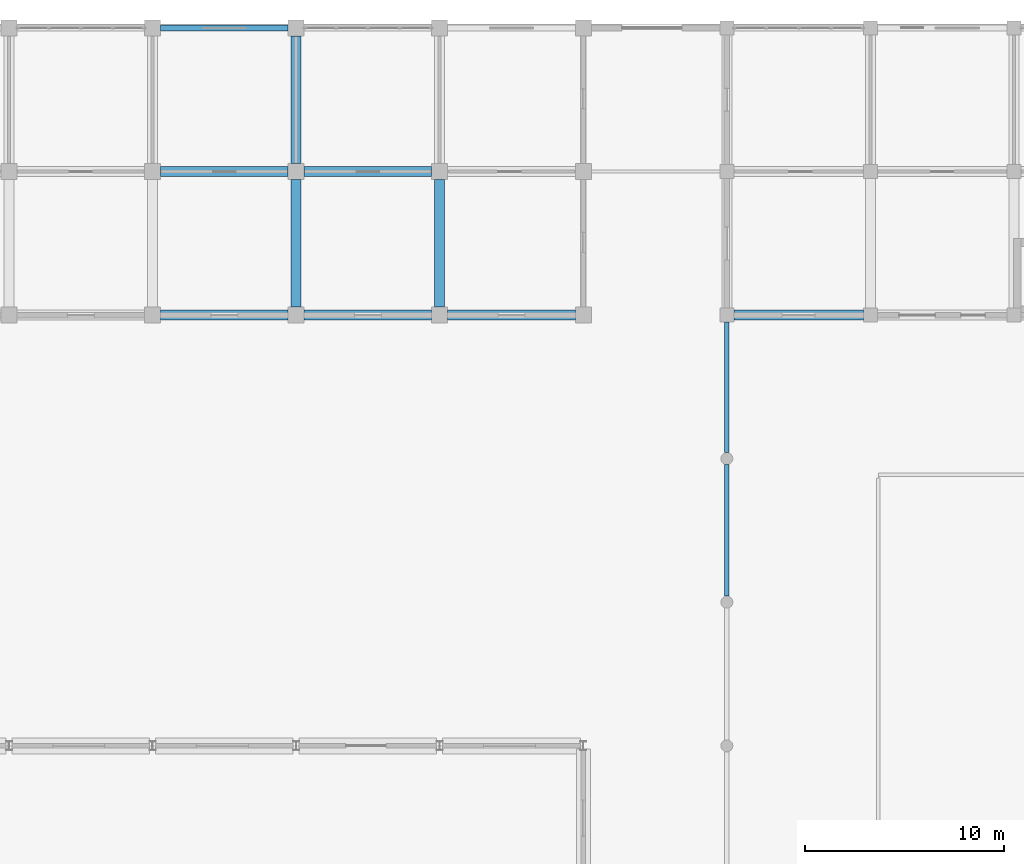
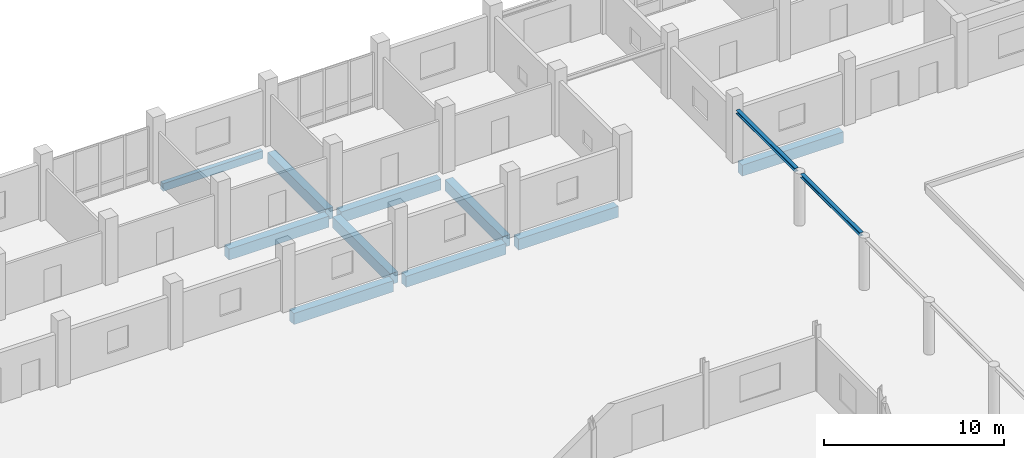
# One storey, part 63 of 139: 12 beams.
"""IFC4 building model written with IfcOpenShell, lengths in metres."""

from ifc_helpers import new_model, si_unit, direction, frame, origin, origin_2d, place, context, subcontext, project, spatial, rectangle, i_section, extrude, material, material_profile, profile_set, type_object, element, save


model = new_model("IFC4")

# Units and contexts
model_context = context("Model", 3, precision=1e-05, world=origin(), true_north=direction((0.0, 1.0)))
body_context = subcontext(model_context, "Body", "Model", "MODEL_VIEW")
ifc_project = project(units=[si_unit("LENGTHUNIT", "METRE"), si_unit("AREAUNIT", "SQUARE_METRE"), si_unit("VOLUMEUNIT", "CUBIC_METRE"), si_unit("PLANEANGLEUNIT", "RADIAN"), si_unit("MASSUNIT", "GRAM", prefix="KILO")], contexts=[model_context])

# Site, building, storey
site_placement = place(None, origin())
site = spatial("IfcSite", under=ifc_project, at=site_placement, CompositionType="ELEMENT")
building_placement = place(site_placement, origin())
building = spatial("IfcBuilding", under=site, at=building_placement, Name="Suanplinth Sawtooth Commons", CompositionType="ELEMENT")
storey_placement = place(building_placement, origin())
storey = spatial("IfcBuildingStorey", under=building, at=storey_placement, Name="L00", CompositionType="ELEMENT", Elevation=0.0)

# Beams
ifc_material_1 = material(Name="Concrete C40/50", Category="concrete")
ifc_material_profile_1 = material_profile(ifc_material_1, rectangle(XDim=0.5, YDim=0.75, at=origin_2d()), Name="RC-GDR 500x750")
ifc_profile_set_1 = profile_set([ifc_material_profile_1], Name="Concrete C40/50")
beam_type_1 = type_object("IfcBeamType", Name="B-03", PredefinedType="USERDEFINED", material=ifc_profile_set_1)
for number, where, z_axis, x_axis, name in (
    (1, (94.0, 108.0, -0.784912109375), (1.0, 0.0, 0.0), (0.0, 1.0, 0.0), "BMX-L00-A-13-15"),
    (2, (94.0, 115.199951171875, -0.784912109375), (1.0, 0.0, 0.0), (0.0, 1.0, 0.0), "BMX-L00-A-13-16"),
):
    element("IfcBeam", number, at=place(storey_placement, frame(where, z_axis=z_axis, x_axis=x_axis)), inside=storey, type_object=beam_type_1, Name=name, ObjectType="GIRDER", PredefinedType="USERDEFINED", context=body_context, shape_type="SweptSolid", body=[
        extrude(rectangle(XDim=0.5, YDim=0.75, at=origin_2d()), origin(), (0.0, 0.0, 1.0), 6.39990234375),
    ])
for number, where, z_axis, x_axis, name in (
    (3, (101.199951171875, 108.0, -0.784912109375), (1.0, 0.0, 0.0), (0.0, 1.0, 0.0), "BMX-L00-A-14-15"),
    (4, (101.199951171875, 115.199951171875, -0.784912109375), (1.0, 0.0, 0.0), (0.0, 1.0, 0.0), "BMX-L00-A-14-16"),
    (5, (108.39990234375, 108.0, -0.784912109375), (1.0, 0.0, 0.0), (0.0, 1.0, 0.0), "BMX-L00-A-15-15"),
    (6, (100.800048828125, 108.39990234375, -0.784912109375), (0.0, 1.0, 0.0), (-1.0, 0.0, 0.0), "BMY-L00-A-14-15"),
):
    element("IfcBeam", number, at=place(storey_placement, frame(where, z_axis=z_axis, x_axis=x_axis)), inside=storey, type_object=beam_type_1, Name=name, ObjectType="GIRDER", PredefinedType="USERDEFINED", context=body_context, shape_type="SweptSolid", body=[
        extrude(rectangle(XDim=0.5, YDim=0.75, at=origin_2d()), origin(), (0.0, 0.0, 1.0), 6.400146484375),
    ])
beam_1_placement = place(storey_placement, frame((100.800048828125, 115.60009765625, -0.784912109375), z_axis=(0.0, 1.0, 0.0), x_axis=(-1.0, 0.0, 0.0)))
element("IfcBeam", 7, at=beam_1_placement, inside=storey, type_object=beam_type_1, Name="BMY-L00-A-14-16", ObjectType="GIRDER", PredefinedType="USERDEFINED", context=body_context, shape_type="SweptSolid", body=[
    extrude(rectangle(XDim=0.5, YDim=0.75, at=origin_2d()), origin(), (0.0, 0.0, 1.0), 6.39990234375),
])
beam_2_placement = place(storey_placement, frame((108.0, 108.39990234375, -0.784912109375), z_axis=(0.0, 1.0, 0.0), x_axis=(-1.0, 0.0, 0.0)))
element("IfcBeam", 8, at=beam_2_placement, inside=storey, type_object=beam_type_1, Name="BMY-L00-A-15-15", ObjectType="GIRDER", PredefinedType="USERDEFINED", context=body_context, shape_type="SweptSolid", body=[
    extrude(rectangle(XDim=0.5, YDim=0.75, at=origin_2d()), origin(), (0.0, 0.0, 1.0), 6.400146484375),
])
beam_3_placement = place(storey_placement, frame((122.75, 108.0, -0.794921875), z_axis=(1.0, 0.0, 0.0), x_axis=(0.0, 1.0, 0.0)))
element("IfcBeam", 9, at=beam_3_placement, inside=storey, type_object=beam_type_1, Name="BMX-L00-B-17-15", ObjectType="GIRDER", PredefinedType="USERDEFINED", context=body_context, shape_type="SweptSolid", body=[
    extrude(rectangle(XDim=0.5, YDim=0.75, at=origin_2d()), origin(), (0.0, 0.0, 1.0), 6.5),
])
ifc_material_2 = material(Name="Precast concrete C40/50", Category="concrete")
ifc_material_profile_2 = material_profile(ifc_material_2, rectangle(XDim=0.280029296875, YDim=0.52001953125, at=origin_2d()), Name="PC-SP 280x520")
ifc_profile_set_2 = profile_set([ifc_material_profile_2], Name="Precast concrete C40/50")
beam_type_2 = type_object("IfcBeamType", Name="B-08", PredefinedType="SPANDREL", material=ifc_profile_set_2)
beam_4_placement = place(storey_placement, frame((94.0, 122.39990234375, -0.669921875), z_axis=(1.0, 0.0, 0.0), x_axis=(0.0, 1.0, 0.0)))
element("IfcBeam", 10, at=beam_4_placement, inside=storey, type_object=beam_type_2, Name="BMX-L00-A-13-17", PredefinedType="SPANDREL", context=body_context, shape_type="SweptSolid", body=[
    extrude(rectangle(XDim=0.280029296875, YDim=0.52001953125, at=origin_2d()), origin(), (0.0, 0.0, 1.0), 6.39990234375),
])
ifc_material_3 = material(Name="Steel S355JR", Category="steel")
ifc_material_profile_3 = material_profile(ifc_material_3, i_section(OverallWidth=0.239990234375, OverallDepth=0.22998046875, WebThickness=0.007568359375, FlangeThickness=0.011962890625, at=origin_2d()), Name="HEA 240")
ifc_profile_set_3 = profile_set([ifc_material_profile_3], Name="Steel S355JR")
beam_type_3 = type_object("IfcBeamType", Name="B-17", PredefinedType="BEAM", material=ifc_profile_set_3)
beam_5_placement = place(storey_placement, frame((122.39990234375, 93.89990234375, 3.43505859375), z_axis=(0.0, 1.0, 0.0), x_axis=(-1.0, 0.0, 0.0)))
element("IfcBeam", 11, at=beam_5_placement, inside=storey, type_object=beam_type_3, Name="BM-EBZ-SPINE-13", PredefinedType="BEAM", context=body_context, shape_type="SweptSolid", body=[
    extrude(i_section(OverallWidth=0.239990234375, OverallDepth=0.22998046875, WebThickness=0.007568359375, FlangeThickness=0.011962890625, at=origin_2d()), origin(), (0.0, 0.0, 1.0), 6.60009765625),
])
beam_6_placement = place(storey_placement, frame((122.39990234375, 101.10009765625, 3.43505859375), z_axis=(0.0, 1.0, 0.0), x_axis=(-1.0, 0.0, 0.0)))
element("IfcBeam", 12, at=beam_6_placement, inside=storey, type_object=beam_type_3, Name="BM-EBZ-SPINE-14", PredefinedType="BEAM", context=body_context, shape_type="SweptSolid", body=[
    extrude(i_section(OverallWidth=0.239990234375, OverallDepth=0.22998046875, WebThickness=0.007568359375, FlangeThickness=0.011962890625, at=origin_2d()), origin(), (0.0, 0.0, 1.0), 6.5498046875),
])

save(model, "model.ifc")
